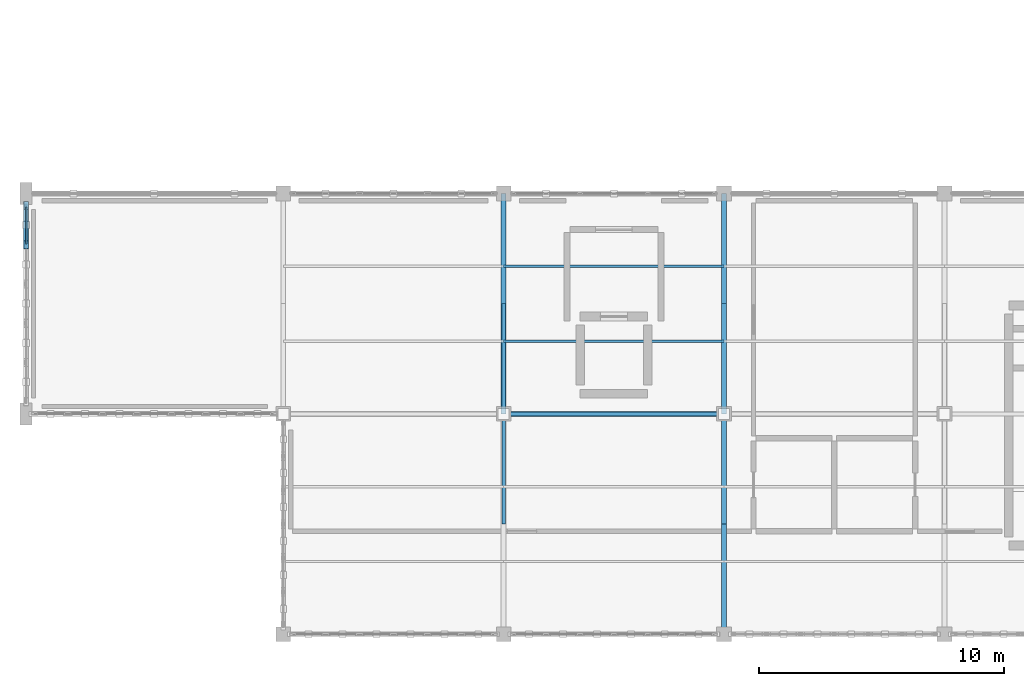
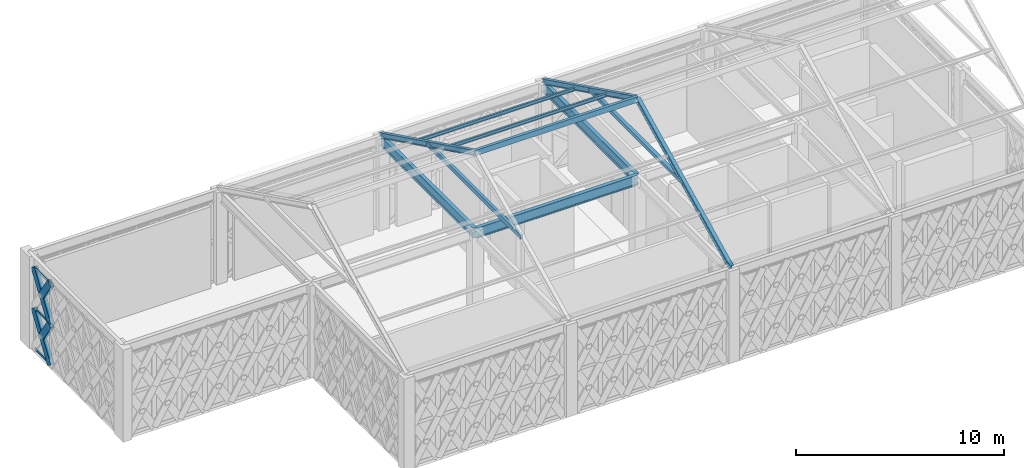
# One storey, part 9 of 32: 15 members, 3 beams, 1 element without a shape of its own.
"""IFC4 building model written with IfcOpenShell, lengths in metres."""

import ifcopenshell
import ifcopenshell.guid

model = None  # the IFC model being written
_history = None  # IfcOwnerHistory: only IFC2X3 demands one
_inside = {}  # id of a spatial element -> (the spatial element, [elements in it])
_under = {}  # id of a project, library or spatial element -> (it, [spatial elements below it])
_declared = {}  # id of a project -> (the project, [libraries it declares])
_typed = {}  # id of a type object -> (the type object, [elements of that type])
_made_of = {}  # id of a material, layer set ... -> (it, [elements and type objects made of it])


def new_model(schema):
    """Start an empty IFC model of exactly this schema.

    Asked for "IFC4X3", IfcOpenShell would pick the latest addendum, in which some entities
    have other attributes; the version numbers below select the first issue.
    IFC2X3 requires an IfcOwnerHistory on every rooted entity: one is made here for all.
    """
    global model, _history
    if schema == "IFC4X3":
        model = ifcopenshell.file(schema_version=(4, 3, 0, 0))
    else:
        model = ifcopenshell.file(schema=schema)
    _inside.clear()
    _under.clear()
    _declared.clear()
    _typed.clear()
    _made_of.clear()
    _history = None
    if model.schema == "IFC2X3":
        org = make("IfcOrganization", Name="unknown")
        user = make(
            "IfcPersonAndOrganization",
            ThePerson=make("IfcPerson", FamilyName="unknown"),
            TheOrganization=org,
        )
        app = make(
            "IfcApplication",
            ApplicationDeveloper=org,
            Version="unknown",
            ApplicationFullName="unknown",
            ApplicationIdentifier="unknown",
        )
        _history = make(
            "IfcOwnerHistory",
            OwningUser=user,
            OwningApplication=app,
            ChangeAction="ADDED",
            CreationDate=0,
        )
    return model


def make(cls, **values):
    """One entity of the class cls with the attributes given. An attribute that is None is left unset."""
    return model.create_entity(
        cls, **{name: value for name, value in values.items() if value is not None}
    )


def rooted(cls, **values):
    """An entity with a GlobalId (a new one), such as an element, a storey or a relation."""
    return make(cls, GlobalId=ifcopenshell.guid.new(), OwnerHistory=_history, **values)


def si_unit(unit_type, name, prefix=None):
    """IfcSIUnit, for example si_unit("LENGTHUNIT", "METRE", prefix="MILLI")."""
    return make("IfcSIUnit", UnitType=unit_type, Prefix=prefix, Name=name)


def assignment(units):
    """IfcUnitAssignment: the units of a project."""
    return None if units is None else make("IfcUnitAssignment", Units=units)


def point(xyz):
    """IfcCartesianPoint."""
    return None if xyz is None else make("IfcCartesianPoint", Coordinates=xyz)


def direction(xyz):
    """IfcDirection."""
    return None if xyz is None else make("IfcDirection", DirectionRatios=xyz)


def frame(location, z_axis=None, x_axis=None):
    """IfcAxis2Placement3D, a coordinate frame: its origin and axes. An axis left out is left unset."""
    return make(
        "IfcAxis2Placement3D",
        Location=point(location),
        Axis=direction(z_axis),
        RefDirection=direction(x_axis),
    )


def frame_2d(location, x_axis=None):
    """IfcAxis2Placement2D, a coordinate frame in the plane: its origin and x axis."""
    return make(
        "IfcAxis2Placement2D", Location=point(location), RefDirection=direction(x_axis)
    )


def origin():
    """The frame at (0, 0, 0) with its axes left unset."""
    return frame((0.0, 0.0, 0.0))


def origin_2d():
    """The frame at (0, 0) in the plane with its x axis left unset."""
    return frame_2d((0.0, 0.0))


def place(relative_to, where):
    """IfcLocalPlacement: puts the frame where relative to a parent placement (None: the world)."""
    return make(
        "IfcLocalPlacement", PlacementRelTo=relative_to, RelativePlacement=where
    )


def context(
    kind, dimensions, precision=None, world=None, true_north=None, identifier=None
):
    """IfcGeometricRepresentationContext, for example the 3D "Model" context."""
    return make(
        "IfcGeometricRepresentationContext",
        ContextIdentifier=identifier,
        ContextType=kind,
        CoordinateSpaceDimension=dimensions,
        Precision=precision,
        WorldCoordinateSystem=world,
        TrueNorth=true_north,
    )


def subcontext(parent, identifier, kind, view, scale=None):
    """IfcGeometricRepresentationSubContext, for example "Body" below "Model"."""
    return make(
        "IfcGeometricRepresentationSubContext",
        ContextIdentifier=identifier,
        ContextType=kind,
        ParentContext=parent,
        TargetScale=scale,
        TargetView=view,
    )


def project(units=None, contexts=None):
    """IfcProject with its units and contexts."""
    return rooted(
        "IfcProject",
        Name="project",
        RepresentationContexts=contexts,
        UnitsInContext=assignment(units),
    )


def spatial(cls, under=None, at=None, **own):
    """A site, building, storey or space (cls), placed at a placement, below another one or the project."""
    s = rooted(cls, ObjectPlacement=at, **own)
    if under is not None:
        _under.setdefault(under.id(), (under, []))[1].append(s)
    return s


def profile(cls, at=None, kind="AREA", **sizes):
    """A parametric profile (cls). Its sizes go by their IFC names, for example OverallWidth=200.0."""
    return make(cls, ProfileType=kind, Position=at, **sizes)


def hollow_rectangle(**sizes):
    """IfcRectangleHollowProfileDef."""
    return profile("IfcRectangleHollowProfileDef", **sizes)


def i_section(**sizes):
    """IfcIShapeProfileDef."""
    return profile("IfcIShapeProfileDef", **sizes)


def extrude(swept, where, along, depth):
    """IfcExtrudedAreaSolid: the profile swept, set in the frame where, extruded along a direction by depth."""
    return make(
        "IfcExtrudedAreaSolid",
        SweptArea=swept,
        Position=where,
        ExtrudedDirection=direction(along),
        Depth=depth,
    )


def shape(context_of_items, identifier, shape_type, items):
    """IfcShapeRepresentation: the items that make up one representation, for example the "Body"."""
    return make(
        "IfcShapeRepresentation",
        ContextOfItems=context_of_items,
        RepresentationIdentifier=identifier,
        RepresentationType=shape_type,
        Items=items,
    )


def material(Name=None, Category=None):
    """IfcMaterial."""
    return make("IfcMaterial", Name=Name, Category=Category)


def material_profile(
    of_material, cross_section, Name=None, Category=None, Priority=None
):
    """IfcMaterialProfile: a cross section and its material."""
    return make(
        "IfcMaterialProfile",
        Name=Name,
        Material=of_material,
        Profile=cross_section,
        Priority=Priority,
        Category=Category,
    )


def profile_set(profiles, Name=None, composite=None):
    """IfcMaterialProfileSet."""
    return make(
        "IfcMaterialProfileSet",
        Name=Name,
        MaterialProfiles=profiles,
        CompositeProfile=composite,
    )


def made_of(thing, what):
    """Note that an element or type object is made of a material, layer set ...; save() writes the relation."""
    if what is not None:
        _made_of.setdefault(what.id(), (what, []))[1].append(thing)
    return thing


def type_object(cls, material=None, **own):
    """A type object (cls), such as IfcWallType, which elements share."""
    return made_of(rooted(cls, **own), material)


def element(
    cls,
    number,
    at=None,
    inside=None,
    cuts=None,
    type_object=None,
    material=None,
    context=None,
    identifier="Body",
    shape_type=None,
    held_by="IfcProductDefinitionShape",
    body=None,
    shapes=None,
    **own,
):
    """One element of the class cls, such as IfcWall. Its Tag is "e" and its number.

    at: its placement. inside: the storey or other place that contains it. cuts: it is an
    opening in that element (IfcRelVoidsElement). A single representation is given by context,
    identifier, shape_type and body (its items); several are given by shapes. held_by: the class
    of the entity that holds the representations. save() writes the other relations.
    """
    e = rooted(cls, Tag="e%d" % number, ObjectPlacement=at, **own)
    if body is not None:
        shapes = [shape(context, identifier, shape_type, body)]
    if shapes is not None:
        e.Representation = make(held_by, Representations=shapes)
    if inside is not None:
        _inside.setdefault(inside.id(), (inside, []))[1].append(e)
    if cuts is not None:
        rooted(
            "IfcRelVoidsElement", RelatingBuildingElement=cuts, RelatedOpeningElement=e
        )
    if type_object is not None:
        _typed.setdefault(type_object.id(), (type_object, []))[1].append(e)
    return made_of(e, material)


def aggregate(whole, parts):
    """IfcRelAggregates: a whole, such as a stair, and the parts it consists of."""
    return rooted("IfcRelAggregates", RelatingObject=whole, RelatedObjects=parts)


def save(model, path):
    """Write the relations noted so far, then the file.

    IfcRelAggregates (storeys below a building ...), IfcRelContainedInSpatialStructure (elements
    in a storey), IfcRelDefinesByType, IfcRelAssociatesMaterial and IfcRelDeclares: one each for
    every whole, place, type object, material and project.
    """
    for whole, parts in _under.values():
        aggregate(whole, parts)
    for where, things in _inside.values():
        rooted(
            "IfcRelContainedInSpatialStructure",
            RelatedElements=things,
            RelatingStructure=where,
        )
    for kind, things in _typed.values():
        rooted("IfcRelDefinesByType", RelatedObjects=things, RelatingType=kind)
    for what, things in _made_of.values():
        rooted("IfcRelAssociatesMaterial", RelatedObjects=things, RelatingMaterial=what)
    for by, libraries in _declared.values():
        rooted("IfcRelDeclares", RelatingContext=by, RelatedDefinitions=libraries)
    model.write(path)


model = new_model("IFC4")

# Units and contexts
model_context = context("Model", 3, precision=1e-05, world=origin(), true_north=direction((0.0, 1.0)))
body_context = subcontext(model_context, "Body", "Model", "MODEL_VIEW")
ifc_project = project(units=[si_unit("LENGTHUNIT", "METRE"), si_unit("AREAUNIT", "SQUARE_METRE"), si_unit("VOLUMEUNIT", "CUBIC_METRE"), si_unit("PLANEANGLEUNIT", "RADIAN"), si_unit("MASSUNIT", "GRAM", prefix="KILO")], contexts=[model_context])

# Site, building, storey
site_placement = place(None, origin())
site = spatial("IfcSite", under=ifc_project, at=site_placement, CompositionType="ELEMENT")
building_placement = place(site_placement, origin())
building = spatial("IfcBuilding", under=site, at=building_placement, Name="Haizhuo Lancet Aquarium", CompositionType="ELEMENT")
storey_placement = place(building_placement, frame((0.0, 0.0, 27.0)))
storey = spatial("IfcBuildingStorey", under=building, at=storey_placement, Name="L05", CompositionType="ELEMENT", Elevation=27.0)

# Beams
ifc_material_1 = material(Name="Steel S355", Category="steel")
ifc_material_profile_1 = material_profile(ifc_material_1, i_section(OverallWidth=0.199951171875, OverallDepth=0.60009765625, WebThickness=0.010986328125, FlangeThickness=0.01708984375, FilletRadius=0.02197265625, at=origin_2d()), Name="HN 600x200x11x17")
ifc_profile_set_1 = profile_set([ifc_material_profile_1], Name="Steel S355")
beam_type = type_object("IfcBeamType", Name="BM-ST-HN600", PredefinedType="BEAM", material=ifc_profile_set_1)
for number, where, z_axis, x_axis, name in (
    (1, (-63.0, -18.0, 5.10009765625), (0.0, 1.0, 0.0), (-1.0, 0.0, 0.0), "L05 V6 primary girder BM-L05-V6-011"),
    (2, (-63.0, -18.0, 5.10009765625), (1.0, 0.0, 0.0), (0.0, 1.0, 0.0), "L05 V6 primary girder BM-L05-V6-012"),
    (3, (-54.0, -18.0, 5.10009765625), (0.0, 1.0, 0.0), (-1.0, 0.0, 0.0), "L05 V6 primary girder BM-L05-V6-016"),
):
    element("IfcBeam", number, at=place(storey_placement, frame(where, z_axis=z_axis, x_axis=x_axis)), inside=storey, type_object=beam_type, Name=name, PredefinedType="BEAM", context=body_context, shape_type="SweptSolid", body=[
        extrude(i_section(OverallWidth=0.199951171875, OverallDepth=0.60009765625, WebThickness=0.010986328125, FlangeThickness=0.01708984375, FilletRadius=0.02197265625, at=origin_2d()), origin(), (0.0, 0.0, 1.0), 9.0),
    ])

# Curtain wall, members
ifc_material_2 = material(Name="Aluminium 6063-T6", Category="aluminium")
curtain_wall_type = type_object("IfcCurtainWallType", Name="CWD-8010x4800", PredefinedType="NOTDEFINED", material=ifc_material_2)
curtain_wall_placement = place(storey_placement, origin())
curtain_wall = element("IfcCurtainWall", 4, at=curtain_wall_placement, inside=storey, type_object=curtain_wall_type, Name="L05 curtain wall CW-V6-L05-259", PredefinedType="NOTDEFINED")
ifc_material_profile_2 = material_profile(ifc_material_2, hollow_rectangle(XDim=0.06494140625, YDim=0.139892578125, WallThickness=0.00390625, at=origin_2d()), Name="ALU-T 65x140x4")
ifc_profile_set_2 = profile_set([ifc_material_profile_2], Name="Aluminium 6063-T6")
member_type_1 = type_object("IfcMemberType", Name="CW-TRN-1", PredefinedType="NOTDEFINED", material=ifc_profile_set_2)
member_1_placement = place(storey_placement, frame((-82.5, -11.06396484375, 0.031982421875), z_axis=(0.0, 1.0, 0.0), x_axis=(-1.0, 0.0, 0.0)))
member_1 = element("IfcMember", 5, at=member_1_placement, type_object=member_type_1, Name="CWD-80x48 transom 5.1", ObjectType="TRANSOM", PredefinedType="USERDEFINED", context=body_context, shape_type="SweptSolid", body=[
    extrude(hollow_rectangle(XDim=0.06494140625, YDim=0.139892578125, WallThickness=0.00390625, at=origin_2d()), origin(), (0.0, 0.0, 1.0), 1.50390625),
])
member_2_placement = place(storey_placement, frame((-82.5, -11.06396484375, 2.39990234375), z_axis=(0.0, 1.0, 0.0), x_axis=(-1.0, 0.0, 0.0)))
member_2 = element("IfcMember", 6, at=member_2_placement, type_object=member_type_1, Name="CWD-80x48 transom 5.2", ObjectType="TRANSOM", PredefinedType="USERDEFINED", context=body_context, shape_type="SweptSolid", body=[
    extrude(hollow_rectangle(XDim=0.06494140625, YDim=0.139892578125, WallThickness=0.00390625, at=origin_2d()), origin(), (0.0, 0.0, 1.0), 1.50390625),
])
member_3_placement = place(storey_placement, frame((-82.5, -11.06396484375, 4.76806640625), z_axis=(0.0, 1.0, 0.0), x_axis=(-1.0, 0.0, 0.0)))
member_3 = element("IfcMember", 7, at=member_3_placement, type_object=member_type_1, Name="CWD-80x48 transom 5.3", ObjectType="TRANSOM", PredefinedType="USERDEFINED", context=body_context, shape_type="SweptSolid", body=[
    extrude(hollow_rectangle(XDim=0.06494140625, YDim=0.139892578125, WallThickness=0.00390625, at=origin_2d()), origin(), (0.0, 0.0, 1.0), 1.50390625),
])
aggregate(curtain_wall, [member_1, member_2, member_3])

# Members
ifc_material_profile_3 = material_profile(ifc_material_1, hollow_rectangle(XDim=0.159912109375, YDim=0.320068359375, WallThickness=0.010009765625, at=origin_2d()), Name="RHS 160x320x10")
ifc_profile_set_3 = profile_set([ifc_material_profile_3], Name="Steel S355")
member_type_2 = type_object("IfcMemberType", Name="MEM-CH-RHS160x320", PredefinedType="CHORD", material=ifc_profile_set_3)
member_4_placement = place(storey_placement, frame((-63.0, -18.0, 9.804931640625), z_axis=(1.0, 0.0, 0.0), x_axis=(0.0, 1.0, 0.0)))
element("IfcMember", 8, at=member_4_placement, inside=storey, type_object=member_type_2, Name="V6 roof ridge chord 2", PredefinedType="CHORD", context=body_context, shape_type="SweptSolid", body=[
    extrude(hollow_rectangle(XDim=0.159912109375, YDim=0.320068359375, WallThickness=0.010009765625, at=origin_2d()), origin(), (0.0, 0.0, 1.0), 9.0),
])
ifc_material_profile_4 = material_profile(ifc_material_1, hollow_rectangle(XDim=0.14990234375, YDim=0.25, WallThickness=0.010009765625, at=origin_2d()), Name="RHS 150x250x10")
ifc_profile_set_4 = profile_set([ifc_material_profile_4], Name="Steel S355")
member_type_3 = type_object("IfcMemberType", Name="MEM-CL-RHS150x250", PredefinedType="COLLAR", material=ifc_profile_set_4)
member_5_placement = place(storey_placement, frame((-63.0, -22.5, 7.5869140625), z_axis=(0.0, 1.0, 0.0), x_axis=(-1.0, 0.0, 0.0)))
element("IfcMember", 9, at=member_5_placement, inside=storey, type_object=member_type_3, Name="V6 Gothic roof collar tie 2", PredefinedType="COLLAR", context=body_context, shape_type="SweptSolid", body=[
    extrude(hollow_rectangle(XDim=0.14990234375, YDim=0.25, WallThickness=0.010009765625, at=origin_2d()), origin(), (0.0, 0.0, 1.0), 9.0),
])
ifc_material_profile_5 = material_profile(ifc_material_1, hollow_rectangle(XDim=0.199951171875, YDim=0.199951171875, WallThickness=0.010009765625, at=origin_2d()), Name="SHS 200x200x10")
ifc_profile_set_5 = profile_set([ifc_material_profile_5], Name="Steel S355")
member_type_4 = type_object("IfcMemberType", Name="MEM-CL-SHS200", PredefinedType="COLLAR", material=ifc_profile_set_5)
member_6_placement = place(storey_placement, frame((-54.0, -22.5, 7.5869140625), z_axis=(0.0, 1.0, 0.0), x_axis=(-1.0, 0.0, 0.0)))
element("IfcMember", 10, at=member_6_placement, inside=storey, type_object=member_type_4, Name="V6 Gothic roof collar tie 3", PredefinedType="COLLAR", context=body_context, shape_type="SweptSolid", body=[
    extrude(hollow_rectangle(XDim=0.199951171875, YDim=0.199951171875, WallThickness=0.010009765625, at=origin_2d()), origin(), (0.0, 0.0, 1.0), 9.0),
])
ifc_material_profile_6 = material_profile(ifc_material_1, hollow_rectangle(XDim=0.199951171875, YDim=0.39990234375, WallThickness=0.011962890625, at=origin_2d()), Name="RHS 200x400x12")
ifc_profile_set_6 = profile_set([ifc_material_profile_6], Name="Steel S355")
member_type_5 = type_object("IfcMemberType", Name="MEM-LB-RHS200x400", PredefinedType="BRACE", material=ifc_profile_set_6)
member_7_placement = place(storey_placement, frame((-82.5, -11.096923828125, 0.0), z_axis=(0.0, 0.555149217883, 0.831750771496), x_axis=(-1.0, 0.0, 0.0)))
element("IfcMember", 11, at=member_7_placement, inside=storey, type_object=member_type_5, Name="Gothic lancet continuous diagonal brace CW-V6-L05-259 9A", PredefinedType="BRACE", context=body_context, shape_type="SweptSolid", body=[
    extrude(hollow_rectangle(XDim=0.199951171875, YDim=0.39990234375, WallThickness=0.011962890625, at=origin_2d()), origin(), (0.0, 0.0, 1.0), 2.88525390625),
])
member_8_placement = place(storey_placement, frame((-82.5, -10.2958984375, 1.199951171875), z_axis=(0.0, -0.555207750173, 0.831711701341), x_axis=(1.0, 0.0, 0.0)))
element("IfcMember", 12, at=member_8_placement, inside=storey, type_object=member_type_5, Name="Gothic lancet split diagonal brace CW-V6-L05-259 9B2", PredefinedType="BRACE", context=body_context, shape_type="SweptSolid", body=[
    extrude(hollow_rectangle(XDim=0.199951171875, YDim=0.39990234375, WallThickness=0.011962890625, at=origin_2d()), origin(), (0.0, 0.0, 1.0), 1.442626953125),
])
member_9_placement = place(storey_placement, frame((-82.5, -11.096923828125, 2.39990234375), z_axis=(0.0, 0.555110150089, 0.831776845835), x_axis=(-1.0, 0.0, 0.0)))
element("IfcMember", 13, at=member_9_placement, inside=storey, type_object=member_type_5, Name="Gothic lancet continuous diagonal brace CW-V6-L05-259 10A", PredefinedType="BRACE", context=body_context, shape_type="SweptSolid", body=[
    extrude(hollow_rectangle(XDim=0.199951171875, YDim=0.39990234375, WallThickness=0.011962890625, at=origin_2d()), origin(), (0.0, 0.0, 1.0), 2.885498046875),
])
member_10_placement = place(storey_placement, frame((-82.5, -10.2958984375, 3.60009765625), z_axis=(0.0, -0.555207750173, 0.831711701341), x_axis=(1.0, 0.0, 0.0)))
element("IfcMember", 14, at=member_10_placement, inside=storey, type_object=member_type_5, Name="Gothic lancet split diagonal brace CW-V6-L05-259 10B2", PredefinedType="BRACE", context=body_context, shape_type="SweptSolid", body=[
    extrude(hollow_rectangle(XDim=0.199951171875, YDim=0.39990234375, WallThickness=0.011962890625, at=origin_2d()), origin(), (0.0, 0.0, 1.0), 1.442626953125),
])
ifc_material_profile_7 = material_profile(ifc_material_1, i_section(OverallWidth=0.10009765625, OverallDepth=0.199951171875, WebThickness=0.005615234375, FlangeThickness=0.008056640625, FilletRadius=0.008056640625, at=origin_2d()), Name="HN 200x100x5.5x8")
ifc_profile_set_7 = profile_set([ifc_material_profile_7], Name="Steel S355")
member_type_6 = type_object("IfcMemberType", Name="MEM-PR-HN200", PredefinedType="PURLIN", material=ifc_profile_set_7)
for number, where, z_axis, x_axis, name in (
    (15, (-63.0, -11.969970703125, 6.72412109375), (1.0, 0.0, 0.0), (0.0, 1.0, 0.0), "V6 north roof purlin 2"),
    (16, (-63.0, -15.030029296875, 8.23095703125), (1.0, 0.0, 0.0), (0.0, 1.0, 0.0), "V6 north roof purlin 2"),
):
    element("IfcMember", number, at=place(storey_placement, frame(where, z_axis=z_axis, x_axis=x_axis)), inside=storey, type_object=member_type_6, Name=name, PredefinedType="PURLIN", context=body_context, shape_type="SweptSolid", body=[
        extrude(i_section(OverallWidth=0.10009765625, OverallDepth=0.199951171875, WebThickness=0.005615234375, FlangeThickness=0.008056640625, FilletRadius=0.008056640625, at=origin_2d()), origin(), (0.0, 0.0, 1.0), 9.0),
    ])
ifc_material_profile_8 = material_profile(ifc_material_1, i_section(OverallWidth=0.199951171875, OverallDepth=0.2939453125, WebThickness=0.008056640625, FlangeThickness=0.011962890625, FilletRadius=0.01611328125, at=origin_2d()), Name="HM 294x200x8x12")
ifc_profile_set_8 = profile_set([ifc_material_profile_8], Name="Steel S355")
member_type_7 = type_object("IfcMemberType", Name="MEM-RF-HM294", PredefinedType="RAFTER", material=ifc_profile_set_8)
for number, where, z_axis, x_axis, name in (
    (17, (-63.0, -9.0, 5.3701171875), (0.0, -0.897010851352, 0.44200852091), (1.0, 0.0, 0.0), "V6 Gothic pitched roof north rafter 2"),
    (18, (-54.0, -27.0, 5.3701171875), (0.0, 0.897010851352, 0.44200852091), (-1.0, 0.0, 0.0), "V6 Gothic pitched roof south rafter 3"),
    (19, (-54.0, -9.0, 5.3701171875), (0.0, -0.897010851352, 0.44200852091), (1.0, 0.0, 0.0), "V6 Gothic pitched roof north rafter 3"),
):
    element("IfcMember", number, at=place(storey_placement, frame(where, z_axis=z_axis, x_axis=x_axis)), inside=storey, type_object=member_type_7, Name=name, PredefinedType="RAFTER", context=body_context, shape_type="SweptSolid", body=[
        extrude(i_section(OverallWidth=0.199951171875, OverallDepth=0.2939453125, WebThickness=0.008056640625, FlangeThickness=0.011962890625, FilletRadius=0.01611328125, at=origin_2d()), origin(), (0.0, 0.0, 1.0), 10.033203125),
    ])

save(model, "model.ifc")
